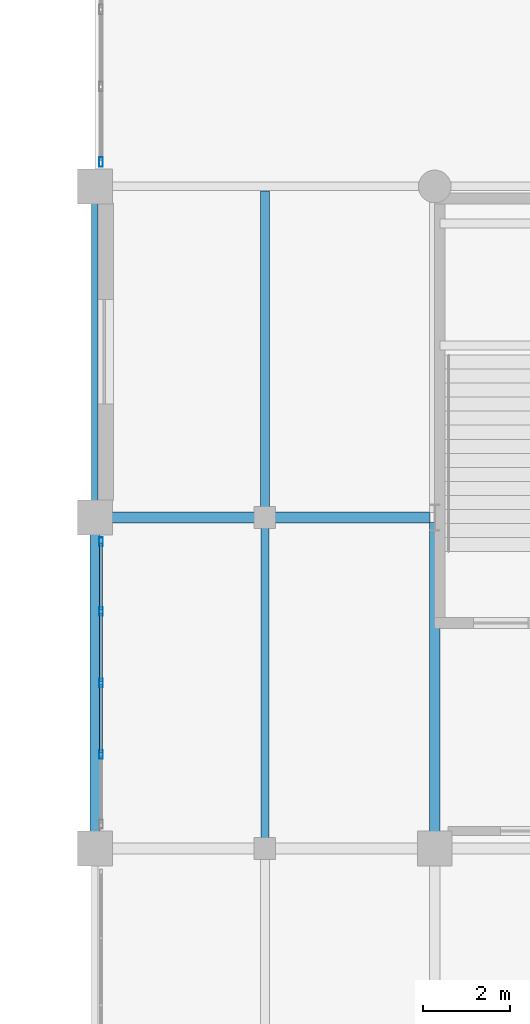
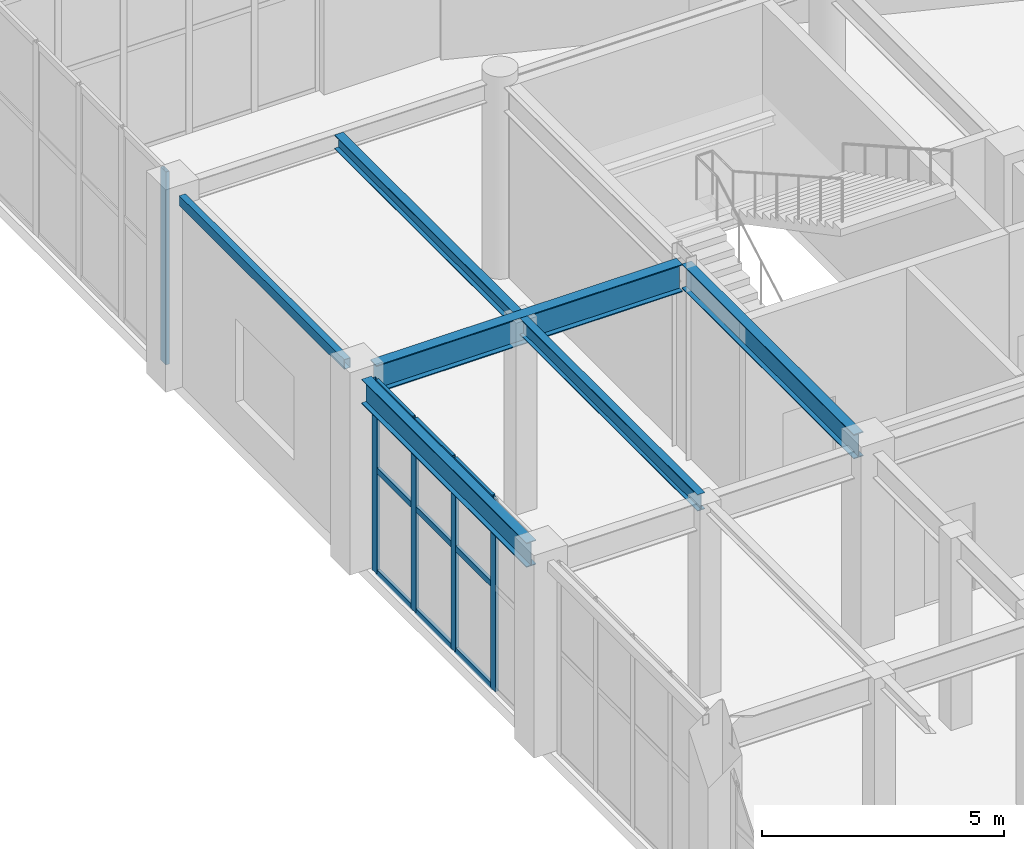
# One storey, part 82 of 128: 14 members, 6 beams, 2 elements without a shape of their own.
"""IFC4 building model written with IfcOpenShell, lengths in metres."""

from ifc_helpers import new_model, si_unit, direction, frame, origin, origin_2d, place, context, subcontext, project, spatial, hollow_rectangle, i_section, extrude, material, layer, layer_set, material_profile, profile_set, type_object, element, aggregate, save


model = new_model("IFC4")

# Units and contexts
model_context = context("Model", 3, precision=1e-05, world=origin(), true_north=direction((0.0, 1.0)))
body_context = subcontext(model_context, "Body", "Model", "MODEL_VIEW")
ifc_project = project(units=[si_unit("LENGTHUNIT", "METRE"), si_unit("AREAUNIT", "SQUARE_METRE"), si_unit("VOLUMEUNIT", "CUBIC_METRE"), si_unit("PLANEANGLEUNIT", "RADIAN"), si_unit("MASSUNIT", "GRAM", prefix="KILO")], contexts=[model_context])

# Site, building, storey
site_placement = place(None, origin())
site = spatial("IfcSite", under=ifc_project, at=site_placement, CompositionType="ELEMENT")
building_placement = place(site_placement, origin())
building = spatial("IfcBuilding", under=site, at=building_placement, Name="Xicomal Pleat Aquarium", CompositionType="ELEMENT")
storey_placement = place(building_placement, frame((0.0, 0.0, 5.39990234375)))
storey = spatial("IfcBuildingStorey", under=building, at=storey_placement, Name="L02", CompositionType="ELEMENT", Elevation=5.39990234375)

# Beams
ifc_material_1 = material(Name="Structural steel A992 Gr 50", Category="steel")
ifc_material_profile_1 = material_profile(ifc_material_1, i_section(OverallWidth=0.205078125, OverallDepth=0.35400390625, WebThickness=0.009521484375, FlangeThickness=0.016845703125, at=origin_2d()), Name="IR 360x79")
ifc_profile_set_1 = profile_set([ifc_material_profile_1], Name="Structural steel A992 Gr 50")
beam_type_1 = type_object("IfcBeamType", Name="BM-STL-IR360", PredefinedType="JOIST", material=ifc_profile_set_1)
beam_1_placement = place(storey_placement, frame((137.699951171875, 22.930908203125, 4.6630859375), z_axis=(0.0, 1.0, 0.0), x_axis=(-1.0, 0.0, 0.0)))
element("IfcBeam", 1, at=beam_1_placement, inside=storey, type_object=beam_type_1, Name="L02 framing beam FBJ-L02-17-D-1", PredefinedType="JOIST", context=body_context, shape_type="SweptSolid", body=[
    extrude(i_section(OverallWidth=0.205078125, OverallDepth=0.35400390625, WebThickness=0.009521484375, FlangeThickness=0.016845703125, at=origin_2d()), origin(), (0.0, 0.0, 1.0), 7.369140625),
])
ifc_material_2 = material(Name="Structural steel A992 Gr 50", Category="steel")
ifc_material_profile_2 = material_profile(ifc_material_2, i_section(OverallWidth=0.180908203125, OverallDepth=0.4169921875, WebThickness=0.010986328125, FlangeThickness=0.018310546875, at=origin_2d()), Name="IR 410x85")
ifc_profile_set_2 = profile_set([ifc_material_profile_2], Name="Structural steel A992 Gr 50")
beam_type_2 = type_object("IfcBeamType", Name="BM-STL-IR410", PredefinedType="JOIST", material=ifc_profile_set_2)
beam_2_placement = place(storey_placement, frame((137.699951171875, 15.3310546875, 4.631591796875), z_axis=(0.0, 1.0, 0.0), x_axis=(-1.0, 0.0, 0.0)))
element("IfcBeam", 2, at=beam_2_placement, inside=storey, type_object=beam_type_2, Name="L02 framing beam FBJ-L02-17-C-1", PredefinedType="JOIST", context=body_context, shape_type="SweptSolid", body=[
    extrude(i_section(OverallWidth=0.180908203125, OverallDepth=0.4169921875, WebThickness=0.010986328125, FlangeThickness=0.018310546875, at=origin_2d()), origin(), (0.0, 0.0, 1.0), 7.337890625),
])
ifc_material_3 = material(Name="Structural steel A992 Gr 50", Category="steel")
ifc_material_profile_3 = material_profile(ifc_material_3, i_section(OverallWidth=0.22998046875, OverallDepth=0.616943359375, WebThickness=0.01318359375, FlangeThickness=0.022216796875, at=origin_2d()), Name="IR 610x140")
ifc_profile_set_3 = profile_set([ifc_material_profile_3], Name="Structural steel A992 Gr 50")
beam_type_3 = type_object("IfcBeamType", Name="BM-STL-IR610", PredefinedType="BEAM", material=ifc_profile_set_3)
beam_3_placement = place(storey_placement, frame((133.800048828125, 15.594970703125, 4.531494140625), z_axis=(0.0, 1.0, 0.0), x_axis=(-1.0, 0.0, 0.0)))
element("IfcBeam", 3, at=beam_3_placement, inside=storey, type_object=beam_type_3, Name="L02 framing beam FGY-L02-17-C-D", PredefinedType="BEAM", context=body_context, shape_type="SweptSolid", body=[
    extrude(i_section(OverallWidth=0.22998046875, OverallDepth=0.616943359375, WebThickness=0.01318359375, FlangeThickness=0.022216796875, at=origin_2d()), origin(), (0.0, 0.0, 1.0), 6.81005859375),
])
beam_4_placement = place(storey_placement, frame((141.60009765625, 15.594970703125, 4.531494140625), z_axis=(0.0, 1.0, 0.0), x_axis=(-1.0, 0.0, 0.0)))
element("IfcBeam", 4, at=beam_4_placement, inside=storey, type_object=beam_type_3, Name="L02 framing beam FGY-L02-18-C-D", PredefinedType="BEAM", context=body_context, shape_type="SweptSolid", body=[
    extrude(i_section(OverallWidth=0.22998046875, OverallDepth=0.616943359375, WebThickness=0.01318359375, FlangeThickness=0.022216796875, at=origin_2d()), origin(), (0.0, 0.0, 1.0), 7.094970703125),
])
ifc_material_4 = material(Name="Structural steel A992 Gr 50", Category="steel")
ifc_material_profile_4 = material_profile(ifc_material_4, i_section(OverallWidth=0.256103515625, OverallDepth=0.693115234375, WebThickness=0.014404296875, FlangeThickness=0.023681640625, at=origin_2d()), Name="IR 690x170")
ifc_profile_set_4 = profile_set([ifc_material_profile_4], Name="Structural steel A992 Gr 50")
beam_type_4 = type_object("IfcBeamType", Name="BM-STL-IR690", PredefinedType="BEAM", material=ifc_profile_set_4)
beam_5_placement = place(storey_placement, frame((134.195068359375, 22.800048828125, 4.49365234375), z_axis=(1.0, 0.0, 0.0), x_axis=(0.0, 1.0, 0.0)))
element("IfcBeam", 5, at=beam_5_placement, inside=storey, type_object=beam_type_4, Name="L02 framing beam FGX-L02-17-18-D", PredefinedType="BEAM", context=body_context, shape_type="SweptSolid", body=[
    extrude(i_section(OverallWidth=0.256103515625, OverallDepth=0.693115234375, WebThickness=0.014404296875, FlangeThickness=0.023681640625, at=origin_2d()), origin(), (0.0, 0.0, 1.0), 7.294921875),
])
ifc_material_5 = material(Name="Structural steel A500 Gr C", Category="steel")
ifc_material_profile_5 = material_profile(ifc_material_5, hollow_rectangle(XDim=0.14990234375, YDim=0.25, WallThickness=0.010009765625, at=origin_2d()), Name="OR 250x150x10")
ifc_profile_set_5 = profile_set([ifc_material_profile_5], Name="Structural steel A500 Gr C")
beam_type_5 = type_object("IfcBeamType", Name="BM-STL-OR250", PredefinedType="SPANDREL", material=ifc_profile_set_5)
beam_6_placement = place(storey_placement, frame((133.800048828125, 23.195068359375, 4.715087890625), z_axis=(0.0, 1.0, 0.0), x_axis=(-1.0, 0.0, 0.0)))
element("IfcBeam", 6, at=beam_6_placement, inside=storey, type_object=beam_type_5, Name="L02 framing beam FGY-L02-17-D-E", PredefinedType="SPANDREL", context=body_context, shape_type="SweptSolid", body=[
    extrude(hollow_rectangle(XDim=0.14990234375, YDim=0.25, WallThickness=0.010009765625, at=origin_2d()), origin(), (0.0, 0.0, 1.0), 6.809814453125),
])

# Curtain wall, members
ifc_material_6 = material(Name="Bronze anodized aluminium 6063-T6", Category="aluminium")
ifc_layer_1 = layer(ifc_material_6, 0.159912109375)
ifc_layer_set_1 = layer_set([ifc_layer_1], Name="Bronze anodized aluminium 6063-T6")
curtain_wall_type_1 = type_object("IfcCurtainWallType", Name="CW-SYS-07", PredefinedType="NOTDEFINED", material=ifc_layer_set_1)
curtain_wall_1_placement = place(storey_placement, origin())
curtain_wall_1 = element("IfcCurtainWall", 7, at=curtain_wall_1_placement, inside=storey, type_object=curtain_wall_type_1, Name="L02 unitised curtain wall CW-L02-079", PredefinedType="NOTDEFINED")
ifc_material_7 = material(Name="Bronze anodized aluminium 6063-T6", Category="aluminium")
ifc_material_profile_6 = material_profile(ifc_material_7, hollow_rectangle(XDim=0.074951171875, YDim=0.199951171875, WallThickness=0.00439453125, at=origin_2d()), Name="ALU MULL 75x200")
ifc_profile_set_6 = profile_set([ifc_material_profile_6], Name="Bronze anodized aluminium 6063-T6")
member_type_1 = type_object("IfcMemberType", Name="CWM-75x200", PredefinedType="MULLION", material=ifc_profile_set_6)
member_1_placement = place(storey_placement, frame((133.93994140625, 17.360107421875, 0.0), z_axis=(0.0, 0.0, 1.0), x_axis=(-1.0, 0.0, 0.0)))
member_1 = element("IfcMember", 8, at=member_1_placement, type_object=member_type_1, Name="CW-07 mullion 2", PredefinedType="MULLION", context=body_context, shape_type="SweptSolid", body=[
    extrude(hollow_rectangle(XDim=0.074951171875, YDim=0.199951171875, WallThickness=0.00439453125, at=origin_2d()), origin(), (0.0, 0.0, 1.0), 4.840087890625),
])
member_2_placement = place(storey_placement, frame((133.93994140625, 19.0, 0.0), z_axis=(0.0, 0.0, 1.0), x_axis=(-1.0, 0.0, 0.0)))
member_2 = element("IfcMember", 9, at=member_2_placement, type_object=member_type_1, Name="CW-07 mullion 3", PredefinedType="MULLION", context=body_context, shape_type="SweptSolid", body=[
    extrude(hollow_rectangle(XDim=0.074951171875, YDim=0.199951171875, WallThickness=0.00439453125, at=origin_2d()), origin(), (0.0, 0.0, 1.0), 4.840087890625),
])
member_3_placement = place(storey_placement, frame((133.93994140625, 20.639892578125, 0.0), z_axis=(0.0, 0.0, 1.0), x_axis=(-1.0, 0.0, 0.0)))
member_3 = element("IfcMember", 10, at=member_3_placement, type_object=member_type_1, Name="CW-07 mullion 4", PredefinedType="MULLION", context=body_context, shape_type="SweptSolid", body=[
    extrude(hollow_rectangle(XDim=0.074951171875, YDim=0.199951171875, WallThickness=0.00439453125, at=origin_2d()), origin(), (0.0, 0.0, 1.0), 4.840087890625),
])
member_4_placement = place(storey_placement, frame((133.93994140625, 22.242431640625, 0.0), z_axis=(0.0, 0.0, 1.0), x_axis=(-1.0, 0.0, 0.0)))
member_4 = element("IfcMember", 11, at=member_4_placement, type_object=member_type_1, Name="CW-07 mullion 5", PredefinedType="MULLION", context=body_context, shape_type="SweptSolid", body=[
    extrude(hollow_rectangle(XDim=0.074951171875, YDim=0.199951171875, WallThickness=0.00439453125, at=origin_2d()), origin(), (0.0, 0.0, 1.0), 4.840087890625),
])

# Curtain wall, member
ifc_material_8 = material(Name="Bronze anodized aluminium 6063-T6", Category="aluminium")
ifc_layer_2 = layer(ifc_material_8, 0.159912109375)
ifc_layer_set_2 = layer_set([ifc_layer_2], Name="Bronze anodized aluminium 6063-T6")
curtain_wall_type_2 = type_object("IfcCurtainWallType", Name="CW-SYS-12", PredefinedType="NOTDEFINED", material=ifc_layer_set_2)
curtain_wall_2_placement = place(storey_placement, origin())
curtain_wall_2 = element("IfcCurtainWall", 12, at=curtain_wall_2_placement, inside=storey, type_object=curtain_wall_type_2, Name="L02 unitised curtain wall CW-L02-080", PredefinedType="NOTDEFINED")
ifc_material_9 = material(Name="Bronze anodized aluminium 6063-T6", Category="aluminium")
ifc_material_profile_7 = material_profile(ifc_material_9, hollow_rectangle(XDim=0.0849609375, YDim=0.219970703125, WallThickness=0.0048828125, at=origin_2d()), Name="ALU MULL 85x220")
ifc_profile_set_7 = profile_set([ifc_material_profile_7], Name="Bronze anodized aluminium 6063-T6")
member_type_2 = type_object("IfcMemberType", Name="CWM-85x220", PredefinedType="MULLION", material=ifc_profile_set_7)
member_5_placement = place(storey_placement, frame((133.93994140625, 30.96240234375, 0.0), z_axis=(0.0, 0.0, 1.0), x_axis=(-1.0, 0.0, 0.0)))
member_5 = element("IfcMember", 13, at=member_5_placement, type_object=member_type_2, Name="CW-12 mullion 1", PredefinedType="MULLION", context=body_context, shape_type="SweptSolid", body=[
    extrude(hollow_rectangle(XDim=0.0849609375, YDim=0.219970703125, WallThickness=0.0048828125, at=origin_2d()), origin(), (0.0, 0.0, 1.0), 4.860107421875),
])
aggregate(curtain_wall_2, [member_5])

# Member
ifc_material_10 = material(Name="Bronze anodized aluminium 6063-T6", Category="aluminium")
ifc_material_profile_8 = material_profile(ifc_material_10, hollow_rectangle(XDim=0.074951171875, YDim=0.14990234375, WallThickness=0.00439453125, at=origin_2d()), Name="ALU TRAN 75x150")
ifc_profile_set_8 = profile_set([ifc_material_profile_8], Name="Bronze anodized aluminium 6063-T6")
member_type_3 = type_object("IfcMemberType", Name="CWT-75x150", PredefinedType="USERDEFINED", material=ifc_profile_set_8)
member_6_placement = place(storey_placement, frame((133.93994140625, 17.3974609375, 0.03759765625), z_axis=(0.0, 1.0, 0.0), x_axis=(-1.0, 0.0, 0.0)))
member_6 = element("IfcMember", 14, at=member_6_placement, type_object=member_type_3, Name="CW-07 transom 2.1", ObjectType="TRANSOM", PredefinedType="USERDEFINED", context=body_context, shape_type="SweptSolid", body=[
    extrude(hollow_rectangle(XDim=0.074951171875, YDim=0.14990234375, WallThickness=0.00439453125, at=origin_2d()), origin(), (0.0, 0.0, 1.0), 1.56494140625),
])

member_7_placement = place(storey_placement, frame((133.93994140625, 17.3974609375, 2.614013671875), z_axis=(0.0, 1.0, 0.0), x_axis=(-1.0, 0.0, 0.0)))
member_7 = element("IfcMember", 15, at=member_7_placement, type_object=member_type_3, Name="CW-07 transom 2.2", ObjectType="TRANSOM", PredefinedType="USERDEFINED", context=body_context, shape_type="SweptSolid", body=[
    extrude(hollow_rectangle(XDim=0.074951171875, YDim=0.14990234375, WallThickness=0.00439453125, at=origin_2d()), origin(), (0.0, 0.0, 1.0), 1.56494140625),
])

member_8_placement = place(storey_placement, frame((133.93994140625, 17.3974609375, 4.802490234375), z_axis=(0.0, 1.0, 0.0), x_axis=(-1.0, 0.0, 0.0)))
member_8 = element("IfcMember", 16, at=member_8_placement, type_object=member_type_3, Name="CW-07 transom 2.3", ObjectType="TRANSOM", PredefinedType="USERDEFINED", context=body_context, shape_type="SweptSolid", body=[
    extrude(hollow_rectangle(XDim=0.074951171875, YDim=0.14990234375, WallThickness=0.00439453125, at=origin_2d()), origin(), (0.0, 0.0, 1.0), 1.56494140625),
])

member_9_placement = place(storey_placement, frame((133.93994140625, 19.03759765625, 0.03759765625), z_axis=(0.0, 1.0, 0.0), x_axis=(-1.0, 0.0, 0.0)))
member_9 = element("IfcMember", 17, at=member_9_placement, type_object=member_type_3, Name="CW-07 transom 3.1", ObjectType="TRANSOM", PredefinedType="USERDEFINED", context=body_context, shape_type="SweptSolid", body=[
    extrude(hollow_rectangle(XDim=0.074951171875, YDim=0.14990234375, WallThickness=0.00439453125, at=origin_2d()), origin(), (0.0, 0.0, 1.0), 1.56494140625),
])

member_10_placement = place(storey_placement, frame((133.93994140625, 19.03759765625, 2.614013671875), z_axis=(0.0, 1.0, 0.0), x_axis=(-1.0, 0.0, 0.0)))
member_10 = element("IfcMember", 18, at=member_10_placement, type_object=member_type_3, Name="CW-07 transom 3.2", ObjectType="TRANSOM", PredefinedType="USERDEFINED", context=body_context, shape_type="SweptSolid", body=[
    extrude(hollow_rectangle(XDim=0.074951171875, YDim=0.14990234375, WallThickness=0.00439453125, at=origin_2d()), origin(), (0.0, 0.0, 1.0), 1.56494140625),
])

member_11_placement = place(storey_placement, frame((133.93994140625, 19.03759765625, 4.802490234375), z_axis=(0.0, 1.0, 0.0), x_axis=(-1.0, 0.0, 0.0)))
member_11 = element("IfcMember", 19, at=member_11_placement, type_object=member_type_3, Name="CW-07 transom 3.3", ObjectType="TRANSOM", PredefinedType="USERDEFINED", context=body_context, shape_type="SweptSolid", body=[
    extrude(hollow_rectangle(XDim=0.074951171875, YDim=0.14990234375, WallThickness=0.00439453125, at=origin_2d()), origin(), (0.0, 0.0, 1.0), 1.56494140625),
])

member_12_placement = place(storey_placement, frame((133.93994140625, 20.677490234375, 0.03759765625), z_axis=(0.0, 1.0, 0.0), x_axis=(-1.0, 0.0, 0.0)))
member_12 = element("IfcMember", 20, at=member_12_placement, type_object=member_type_3, Name="CW-07 transom 4.1", ObjectType="TRANSOM", PredefinedType="USERDEFINED", context=body_context, shape_type="SweptSolid", body=[
    extrude(hollow_rectangle(XDim=0.074951171875, YDim=0.14990234375, WallThickness=0.00439453125, at=origin_2d()), origin(), (0.0, 0.0, 1.0), 1.527587890625),
])

member_13_placement = place(storey_placement, frame((133.93994140625, 20.677490234375, 2.614013671875), z_axis=(0.0, 1.0, 0.0), x_axis=(-1.0, 0.0, 0.0)))
member_13 = element("IfcMember", 21, at=member_13_placement, type_object=member_type_3, Name="CW-07 transom 4.2", ObjectType="TRANSOM", PredefinedType="USERDEFINED", context=body_context, shape_type="SweptSolid", body=[
    extrude(hollow_rectangle(XDim=0.074951171875, YDim=0.14990234375, WallThickness=0.00439453125, at=origin_2d()), origin(), (0.0, 0.0, 1.0), 1.527587890625),
])

member_14_placement = place(storey_placement, frame((133.93994140625, 20.677490234375, 4.802490234375), z_axis=(0.0, 1.0, 0.0), x_axis=(-1.0, 0.0, 0.0)))
member_14 = element("IfcMember", 22, at=member_14_placement, type_object=member_type_3, Name="CW-07 transom 4.3", ObjectType="TRANSOM", PredefinedType="USERDEFINED", context=body_context, shape_type="SweptSolid", body=[
    extrude(hollow_rectangle(XDim=0.074951171875, YDim=0.14990234375, WallThickness=0.00439453125, at=origin_2d()), origin(), (0.0, 0.0, 1.0), 1.527587890625),
])

aggregate(curtain_wall_1, [member_1, member_2, member_3, member_4, member_6, member_7, member_8, member_9, member_10, member_11, member_12, member_13, member_14])

save(model, "model.ifc")
